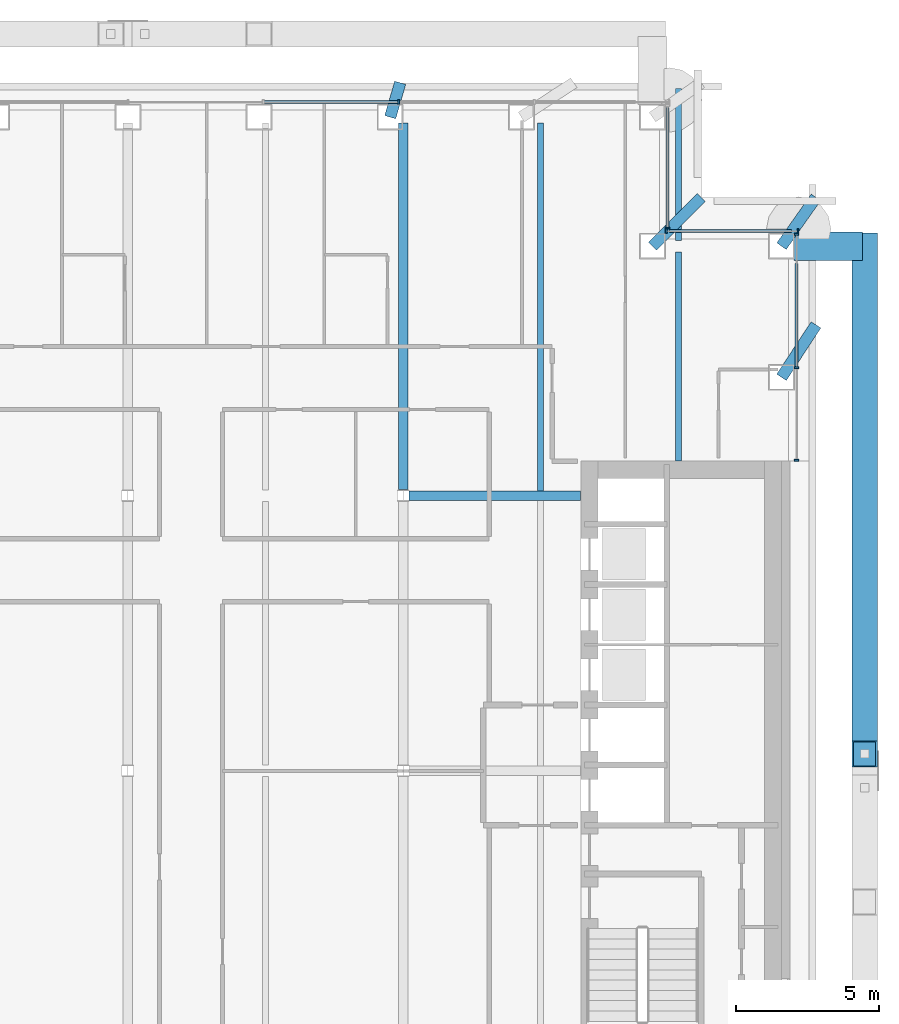
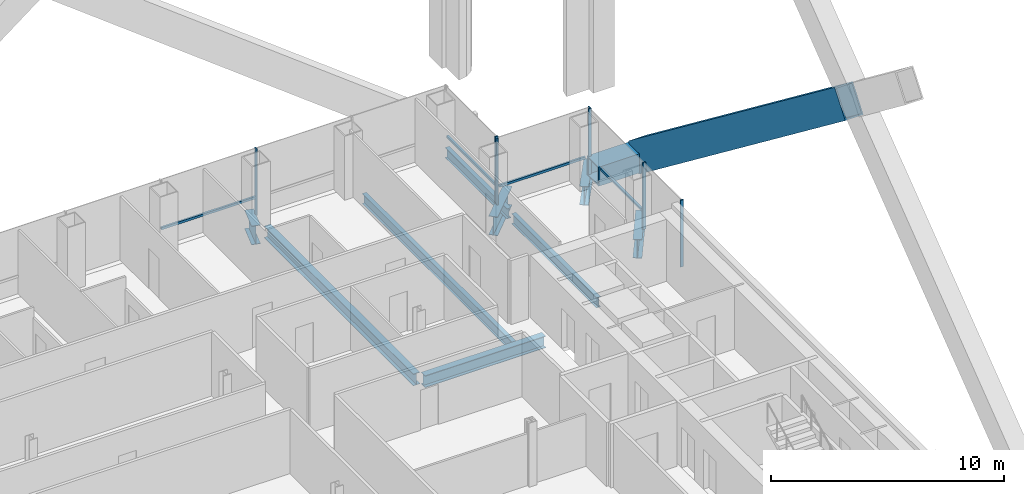
# One storey, part 9 of 22: 12 members, 10 beams, 4 elements without a shape of their own.
"""IFC4 building model written with IfcOpenShell, lengths in metres."""

from ifc_helpers import new_model, si_unit, direction, frame, origin, origin_2d, place, context, subcontext, project, spatial, rectangle, hollow_rectangle, i_section, extrude, material, material_profile, profile_set, type_object, element, aggregate, save


model = new_model("IFC4")

# Units and contexts
model_context = context("Model", 3, precision=1e-05, world=origin(), true_north=direction((0.0, 1.0)))
body_context = subcontext(model_context, "Body", "Model", "MODEL_VIEW")
ifc_project = project(units=[si_unit("LENGTHUNIT", "METRE"), si_unit("AREAUNIT", "SQUARE_METRE"), si_unit("VOLUMEUNIT", "CUBIC_METRE"), si_unit("PLANEANGLEUNIT", "RADIAN"), si_unit("MASSUNIT", "GRAM", prefix="KILO")], contexts=[model_context])

# Site, building, storey
site_placement = place(None, origin())
site = spatial("IfcSite", under=ifc_project, at=site_placement, CompositionType="ELEMENT")
building_placement = place(site_placement, origin())
building = spatial("IfcBuilding", under=site, at=building_placement, Name="Cobrizo Arcos Hotel Tower", CompositionType="ELEMENT")
storey_placement = place(building_placement, frame((0.0, 0.0, 89.0)))
storey = spatial("IfcBuildingStorey", under=building, at=storey_placement, Name="L21", CompositionType="ELEMENT", Elevation=89.0)

# Beam
ifc_material_1 = material(Name="Steel ASTM A572 Grade 50", Category="steel")
ifc_material_profile_1 = material_profile(ifc_material_1, hollow_rectangle(XDim=1.0, YDim=1.0, WallThickness=0.06005859375, at=origin_2d()), Name="BOX 1000X1000X60")
ifc_profile_set_1 = profile_set([ifc_material_profile_1], Name="Steel ASTM A572 Grade 50")
beam_type_1 = type_object("IfcBeamType", Name="BOX 1000X1000X60 brace connector strut", PredefinedType="BEAM", material=ifc_profile_set_1)
beam_1_placement = place(storey_placement, frame((23.239990234375, 18.300048828125, 0.5), z_axis=(1.0, 0.0, 0.0), x_axis=(0.0, 1.0, 0.0)))
element("IfcBeam", 1, at=beam_1_placement, inside=storey, type_object=beam_type_1, Name="Perimeter brace stub BS1, zone Z2, east face, offset +18.30 m, L21", PredefinedType="BEAM", context=body_context, shape_type="SweptSolid", body=[
    extrude(hollow_rectangle(XDim=1.0, YDim=1.0, WallThickness=0.06005859375, at=origin_2d()), origin(), (0.0, 0.0, 1.0), 2.380126953125),
])

# Member
ifc_material_profile_2 = material_profile(ifc_material_1, hollow_rectangle(XDim=0.89990234375, YDim=1.5, WallThickness=0.06494140625, at=origin_2d()), Name="BOX 900X1500X65")
ifc_profile_set_2 = profile_set([ifc_material_profile_2], Name="Steel ASTM A572 Grade 50")
member_type_1 = type_object("IfcMemberType", Name="BOX 900X1500X65 perimeter brace", PredefinedType="BRACE", material=ifc_profile_set_2)
member_1_placement = place(storey_placement, frame((25.699951171875, 18.300048828125, 0.5), z_axis=(0.0, -0.79423534856, 0.607610246044), x_axis=(1.0, 0.0, 0.0)))
element("IfcMember", 2, at=member_1_placement, inside=storey, type_object=member_type_1, Name="Perimeter brace PBR2, zone Z2, east face, no. 01", PredefinedType="BRACE", context=body_context, shape_type="SweptSolid", body=[
    extrude(hollow_rectangle(XDim=0.89990234375, YDim=1.5, WallThickness=0.06494140625, at=origin_2d()), origin(), (0.0, 0.0, 1.0), 22.294189453125),
])

# Curtain wall, members
ifc_material_2 = material(Name="Aluminium 6063-T6 anodised bronze", Category="aluminium")
curtain_wall_type = type_object("IfcCurtainWallType", Name="CW-A guest facade", PredefinedType="NOTDEFINED", material=ifc_material_2)
curtain_wall_1_placement = place(storey_placement, origin())
curtain_wall_1 = element("IfcCurtainWall", 3, at=curtain_wall_1_placement, inside=storey, type_object=curtain_wall_type, Name="CW-A L21 E face", PredefinedType="NOTDEFINED")
ifc_material_profile_3 = material_profile(ifc_material_2, rectangle(XDim=0.14990234375, YDim=0.06005859375, at=origin_2d()), Name="CW-A mullion 150x60")
ifc_profile_set_3 = profile_set([ifc_material_profile_3], Name="Aluminium 6063-T6 anodised bronze")
member_type_2 = type_object("IfcMemberType", Name="CW-A mullion 150x60", PredefinedType="MULLION", material=ifc_profile_set_3)
member_2_placement = place(storey_placement, frame((23.324951171875, 10.830078125, 0.0), z_axis=(0.0, 0.0, 1.0), x_axis=(1.0, 0.0, 0.0)))
member_2 = element("IfcMember", 4, at=member_2_placement, type_object=member_type_2, Name="CW-A mullion 1", PredefinedType="MULLION", context=body_context, shape_type="SweptSolid", body=[
    extrude(rectangle(XDim=0.14990234375, YDim=0.06005859375, at=origin_2d()), origin(), (0.0, 0.0, 1.0), 3.5),
])
member_3_placement = place(storey_placement, frame((23.324951171875, 14.0625, 0.0), z_axis=(0.0, 0.0, 1.0), x_axis=(1.0, 0.0, 0.0)))
member_3 = element("IfcMember", 5, at=member_3_placement, type_object=member_type_2, Name="CW-A mullion 2", PredefinedType="MULLION", context=body_context, shape_type="SweptSolid", body=[
    extrude(rectangle(XDim=0.14990234375, YDim=0.06005859375, at=origin_2d()), origin(), (0.0, 0.0, 1.0), 3.5),
])
member_4_placement = place(storey_placement, frame((23.324951171875, 18.719970703125, 0.0), z_axis=(0.0, 0.0, 1.0), x_axis=(1.0, 0.0, 0.0)))
member_4 = element("IfcMember", 6, at=member_4_placement, type_object=member_type_2, Name="CW-A mullion 3", PredefinedType="MULLION", context=body_context, shape_type="SweptSolid", body=[
    extrude(rectangle(XDim=0.14990234375, YDim=0.06005859375, at=origin_2d()), origin(), (0.0, 0.0, 1.0), 3.5),
])

curtain_wall_2_placement = place(storey_placement, origin())
curtain_wall_2 = element("IfcCurtainWall", 7, at=curtain_wall_2_placement, inside=storey, type_object=curtain_wall_type, Name="CW-A L21 N face", PredefinedType="NOTDEFINED")
member_5_placement = place(storey_placement, frame((23.3701171875, 18.824951171875, 0.0), z_axis=(0.0, 0.0, 1.0), x_axis=(0.0, 1.0, 0.0)))
member_5 = element("IfcMember", 8, at=member_5_placement, type_object=member_type_2, Name="CW-A mullion 1", PredefinedType="MULLION", context=body_context, shape_type="SweptSolid", body=[
    extrude(rectangle(XDim=0.14990234375, YDim=0.06005859375, at=origin_2d()), origin(), (0.0, 0.0, 1.0), 3.5),
])
member_6_placement = place(storey_placement, frame((18.780029296875, 18.824951171875, 0.0), z_axis=(0.0, 0.0, 1.0), x_axis=(0.0, 1.0, 0.0)))
member_6 = element("IfcMember", 9, at=member_6_placement, type_object=member_type_2, Name="CW-A mullion 2", PredefinedType="MULLION", context=body_context, shape_type="SweptSolid", body=[
    extrude(rectangle(XDim=0.14990234375, YDim=0.06005859375, at=origin_2d()), origin(), (0.0, 0.0, 1.0), 3.5),
])

# Curtain wall, member
curtain_wall_3_placement = place(storey_placement, origin())
curtain_wall_3 = element("IfcCurtainWall", 10, at=curtain_wall_3_placement, inside=storey, type_object=curtain_wall_type, Name="CW-A L21 E face", PredefinedType="NOTDEFINED")
member_7_placement = place(storey_placement, frame((18.824951171875, 18.929931640625, 0.0), z_axis=(0.0, 0.0, 1.0), x_axis=(1.0, 0.0, 0.0)))
member_7 = element("IfcMember", 11, at=member_7_placement, type_object=member_type_2, Name="CW-A mullion 1", PredefinedType="MULLION", context=body_context, shape_type="SweptSolid", body=[
    extrude(rectangle(XDim=0.14990234375, YDim=0.06005859375, at=origin_2d()), origin(), (0.0, 0.0, 1.0), 3.5),
])

curtain_wall_4_placement = place(storey_placement, origin())
curtain_wall_4 = element("IfcCurtainWall", 12, at=curtain_wall_4_placement, inside=storey, type_object=curtain_wall_type, Name="CW-A L21 N face", PredefinedType="NOTDEFINED")
member_8_placement = place(storey_placement, frame((9.449951171875, 23.324951171875, 0.0), z_axis=(0.0, 0.0, 1.0), x_axis=(0.0, 1.0, 0.0)))
member_8 = element("IfcMember", 13, at=member_8_placement, type_object=member_type_2, Name="CW-A mullion 3", PredefinedType="MULLION", context=body_context, shape_type="SweptSolid", body=[
    extrude(rectangle(XDim=0.14990234375, YDim=0.06005859375, at=origin_2d()), origin(), (0.0, 0.0, 1.0), 3.5),
])

# Member
ifc_material_profile_4 = material_profile(ifc_material_2, rectangle(XDim=0.10009765625, YDim=0.1201171875, at=origin_2d()), Name="CW-A transom 120x100")
ifc_profile_set_4 = profile_set([ifc_material_profile_4], Name="Aluminium 6063-T6 anodised bronze")
member_type_3 = type_object("IfcMemberType", Name="CW-A transom 120x100", PredefinedType="USERDEFINED", material=ifc_profile_set_4)
member_9_placement = place(storey_placement, frame((23.324951171875, 14.092529296875, 0.929931640625), z_axis=(0.0, 1.0, 0.0), x_axis=(-1.0, 0.0, 0.0)))
member_9 = element("IfcMember", 14, at=member_9_placement, type_object=member_type_3, Name="CW-A transom 864", ObjectType="TRANSOM", PredefinedType="USERDEFINED", context=body_context, shape_type="SweptSolid", body=[
    extrude(rectangle(XDim=0.10009765625, YDim=0.1201171875, at=origin_2d()), origin(), (0.0, 0.0, 1.0), 3.607421875),
])

aggregate(curtain_wall_1, [member_2, member_3, member_4, member_9])

member_10_placement = place(storey_placement, frame((23.139892578125, 18.824951171875, 0.929931640625), z_axis=(-1.0, 0.0, 0.0), x_axis=(0.0, -1.0, 0.0)))
member_10 = element("IfcMember", 15, at=member_10_placement, type_object=member_type_3, Name="CW-A transom 865", ObjectType="TRANSOM", PredefinedType="USERDEFINED", context=body_context, shape_type="SweptSolid", body=[
    extrude(rectangle(XDim=0.10009765625, YDim=0.1201171875, at=origin_2d()), origin(), (0.0, 0.0, 1.0), 4.239990234375),
])

aggregate(curtain_wall_2, [member_5, member_6, member_10])

member_11_placement = place(storey_placement, frame((18.824951171875, 18.9599609375, 0.929931640625), z_axis=(0.0, 1.0, 0.0), x_axis=(-1.0, 0.0, 0.0)))
member_11 = element("IfcMember", 16, at=member_11_placement, type_object=member_type_3, Name="CW-A transom 866", ObjectType="TRANSOM", PredefinedType="USERDEFINED", context=body_context, shape_type="SweptSolid", body=[
    extrude(rectangle(XDim=0.10009765625, YDim=0.1201171875, at=origin_2d()), origin(), (0.0, 0.0, 1.0), 4.179931640625),
])

aggregate(curtain_wall_3, [member_7, member_11])

member_12_placement = place(storey_placement, frame((9.419921875, 23.324951171875, 0.929931640625), z_axis=(-1.0, 0.0, 0.0), x_axis=(0.0, -1.0, 0.0)))
member_12 = element("IfcMember", 17, at=member_12_placement, type_object=member_type_3, Name="CW-A transom 869", ObjectType="TRANSOM", PredefinedType="USERDEFINED", context=body_context, shape_type="SweptSolid", body=[
    extrude(rectangle(XDim=0.10009765625, YDim=0.1201171875, at=origin_2d()), origin(), (0.0, 0.0, 1.0), 4.6650390625),
])

aggregate(curtain_wall_4, [member_8, member_12])

# Beams
ifc_material_3 = material(Name="Steel ASTM A992 Grade 50", Category="steel")
ifc_material_profile_5 = material_profile(ifc_material_3, i_section(OverallWidth=0.209228515625, OverallDepth=0.533447265625, WebThickness=0.01025390625, FlangeThickness=0.015625, at=origin_2d()), Name="W21X62")
ifc_profile_set_5 = profile_set([ifc_material_profile_5], Name="Steel ASTM A992 Grade 50")
beam_type_2 = type_object("IfcBeamType", Name="W21X62 joist", PredefinedType="JOIST", material=ifc_profile_set_5)
beam_2_placement = place(storey_placement, frame((14.39990234375, 9.763916015625, -0.416748046875), z_axis=(0.0, 1.0, 0.0), x_axis=(-1.0, 0.0, 0.0)))
element("IfcBeam", 18, at=beam_2_placement, inside=storey, type_object=beam_type_2, Name="Floor joist J1, L21, no. 020", PredefinedType="JOIST", context=body_context, shape_type="SweptSolid", body=[
    extrude(i_section(OverallWidth=0.209228515625, OverallDepth=0.533447265625, WebThickness=0.01025390625, FlangeThickness=0.015625, at=origin_2d()), origin(), (0.0, 0.0, 1.0), 12.835693359375),
])
beam_3_placement = place(storey_placement, frame((19.199951171875, 10.81005859375, -0.416748046875), z_axis=(0.0, 1.0, 0.0), x_axis=(-1.0, 0.0, 0.0)))
element("IfcBeam", 19, at=beam_3_placement, inside=storey, type_object=beam_type_2, Name="Floor joist J1, L21, no. 023", PredefinedType="JOIST", context=body_context, shape_type="SweptSolid", body=[
    extrude(i_section(OverallWidth=0.209228515625, OverallDepth=0.533447265625, WebThickness=0.01025390625, FlangeThickness=0.015625, at=origin_2d()), origin(), (0.0, 0.0, 1.0), 7.28955078125),
])
beam_4_placement = place(storey_placement, frame((19.199951171875, 18.50048828125, -0.416748046875), z_axis=(0.0, 1.0, 0.0), x_axis=(-1.0, 0.0, 0.0)))
element("IfcBeam", 20, at=beam_4_placement, inside=storey, type_object=beam_type_2, Name="Floor joist J1, L21, no. 024", PredefinedType="JOIST", context=body_context, shape_type="SweptSolid", body=[
    extrude(i_section(OverallWidth=0.209228515625, OverallDepth=0.533447265625, WebThickness=0.01025390625, FlangeThickness=0.015625, at=origin_2d()), origin(), (0.0, 0.0, 1.0), 5.299072265625),
])
ifc_material_profile_6 = material_profile(ifc_material_3, i_section(OverallWidth=0.32763671875, OverallDepth=0.622314453125, WebThickness=0.015380859375, FlangeThickness=0.0244140625, at=origin_2d()), Name="W24X131")
ifc_profile_set_6 = profile_set([ifc_material_profile_6], Name="Steel ASTM A992 Grade 50")
beam_type_3 = type_object("IfcBeamType", Name="W24X131 girder", PredefinedType="BEAM", material=ifc_profile_set_6)
beam_5_placement = place(storey_placement, frame((9.804443359375, 9.60009765625, -0.461181640625), z_axis=(1.0, 0.0, 0.0), x_axis=(0.0, 1.0, 0.0)))
element("IfcBeam", 21, at=beam_5_placement, inside=storey, type_object=beam_type_3, Name="Floor girder G1, L21, no. 006", PredefinedType="BEAM", context=body_context, shape_type="SweptSolid", body=[
    extrude(i_section(OverallWidth=0.32763671875, OverallDepth=0.622314453125, WebThickness=0.015380859375, FlangeThickness=0.0244140625, at=origin_2d()), origin(), (0.0, 0.0, 1.0), 5.985595703125),
])
beam_6_placement = place(storey_placement, frame((9.60009765625, 9.804443359375, -0.461181640625), z_axis=(0.0, 1.0, 0.0), x_axis=(-1.0, 0.0, 0.0)))
element("IfcBeam", 22, at=beam_6_placement, inside=storey, type_object=beam_type_3, Name="Floor girder G1, L21, no. 018", PredefinedType="BEAM", context=body_context, shape_type="SweptSolid", body=[
    extrude(i_section(OverallWidth=0.32763671875, OverallDepth=0.622314453125, WebThickness=0.015380859375, FlangeThickness=0.0244140625, at=origin_2d()), origin(), (0.0, 0.0, 1.0), 12.795166015625),
])
ifc_material_profile_7 = material_profile(ifc_material_3, i_section(OverallWidth=0.4013671875, OverallDepth=0.990478515625, WebThickness=0.0166015625, FlangeThickness=0.025390625, at=origin_2d()), Name="W40X215")
ifc_profile_set_7 = profile_set([ifc_material_profile_7], Name="Steel ASTM A992 Grade 50")
beam_type_4 = type_object("IfcBeamType", Name="W40X215 transfer girder", PredefinedType="BEAM", material=ifc_profile_set_7)
beam_7_placement = place(storey_placement, frame((9.5, 24.0, -0.645263671875), z_axis=(-0.280082500255, -0.959975933579, 0.0), x_axis=(0.959975933579, -0.280082500255, 0.0)))
element("IfcBeam", 23, at=beam_7_placement, inside=storey, type_object=beam_type_4, Name="Setback transfer girder TG1, L21, no. 007", PredefinedType="BEAM", context=body_context, shape_type="SweptSolid", body=[
    extrude(i_section(OverallWidth=0.4013671875, OverallDepth=0.990478515625, WebThickness=0.0166015625, FlangeThickness=0.025390625, at=origin_2d()), origin(), (0.0, 0.0, 1.0), 1.25),
])
beam_8_placement = place(storey_placement, frame((24.0, 15.555908203125, -0.645263671875), z_axis=(-0.548171553943, -0.836365917196, 0.0), x_axis=(0.836365917196, -0.548171553943, 0.0)))
element("IfcBeam", 24, at=beam_8_placement, inside=storey, type_object=beam_type_4, Name="Setback transfer girder TG1, L21, no. 017", PredefinedType="BEAM", context=body_context, shape_type="SweptSolid", body=[
    extrude(i_section(OverallWidth=0.4013671875, OverallDepth=0.990478515625, WebThickness=0.0166015625, FlangeThickness=0.025390625, at=origin_2d()), origin(), (0.0, 0.0, 1.0), 2.18896484375),
])
beam_9_placement = place(storey_placement, frame((24.0, 20.0, -0.645263671875), z_axis=(-0.576678591087, -0.816971114901, 0.0), x_axis=(0.816971114901, -0.576678591087, 0.0)))
element("IfcBeam", 25, at=beam_9_placement, inside=storey, type_object=beam_type_4, Name="Setback transfer girder TG1, L21, no. 019", PredefinedType="BEAM", context=body_context, shape_type="SweptSolid", body=[
    extrude(i_section(OverallWidth=0.4013671875, OverallDepth=0.990478515625, WebThickness=0.0166015625, FlangeThickness=0.025390625, at=origin_2d()), origin(), (0.0, 0.0, 1.0), 2.080810546875),
])
beam_10_placement = place(storey_placement, frame((20.0, 20.0, -0.645263671875), z_axis=(-0.707106781187, -0.707106781187, 0.0), x_axis=(0.707106781187, -0.707106781187, 0.0)))
element("IfcBeam", 26, at=beam_10_placement, inside=storey, type_object=beam_type_4, Name="Setback transfer girder TG1, L21, no. 024", PredefinedType="BEAM", context=body_context, shape_type="SweptSolid", body=[
    extrude(i_section(OverallWidth=0.4013671875, OverallDepth=0.990478515625, WebThickness=0.0166015625, FlangeThickness=0.025390625, at=origin_2d()), origin(), (0.0, 0.0, 1.0), 2.404052734375),
])

save(model, "model.ifc")
